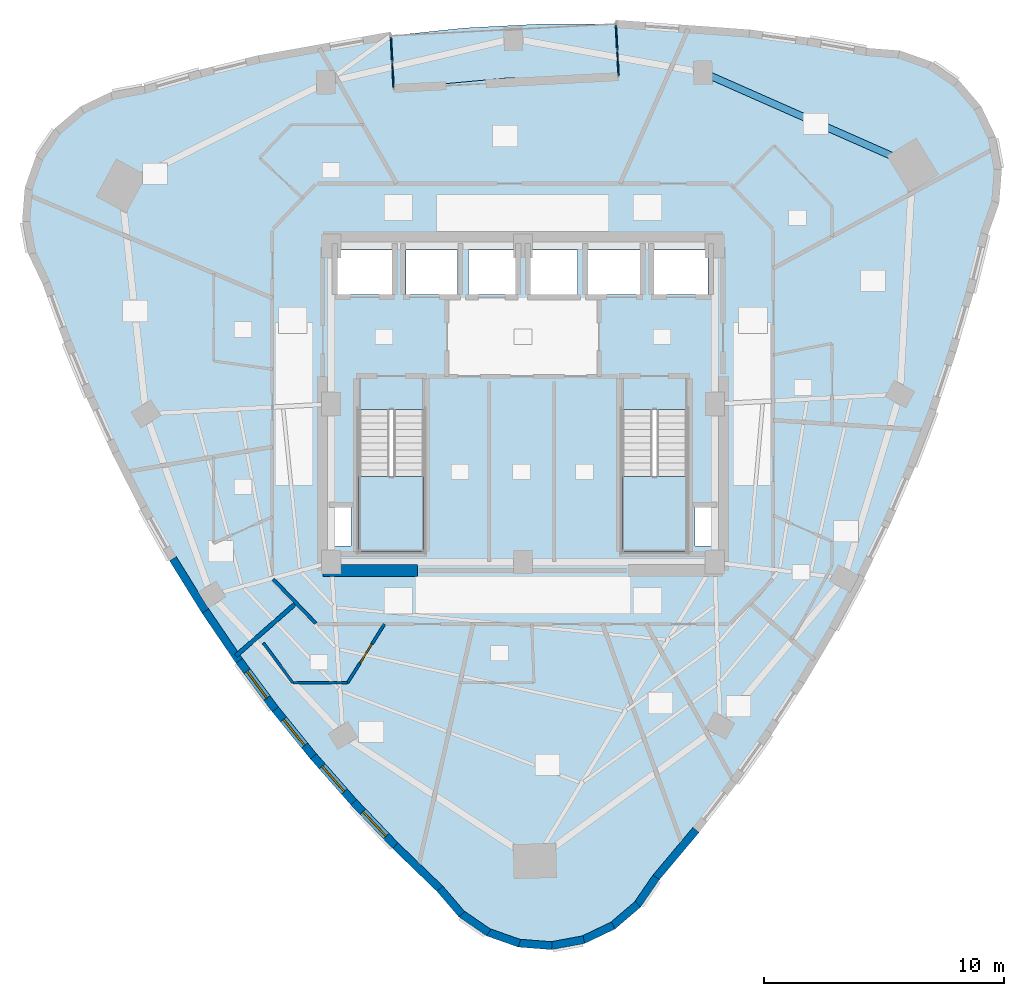
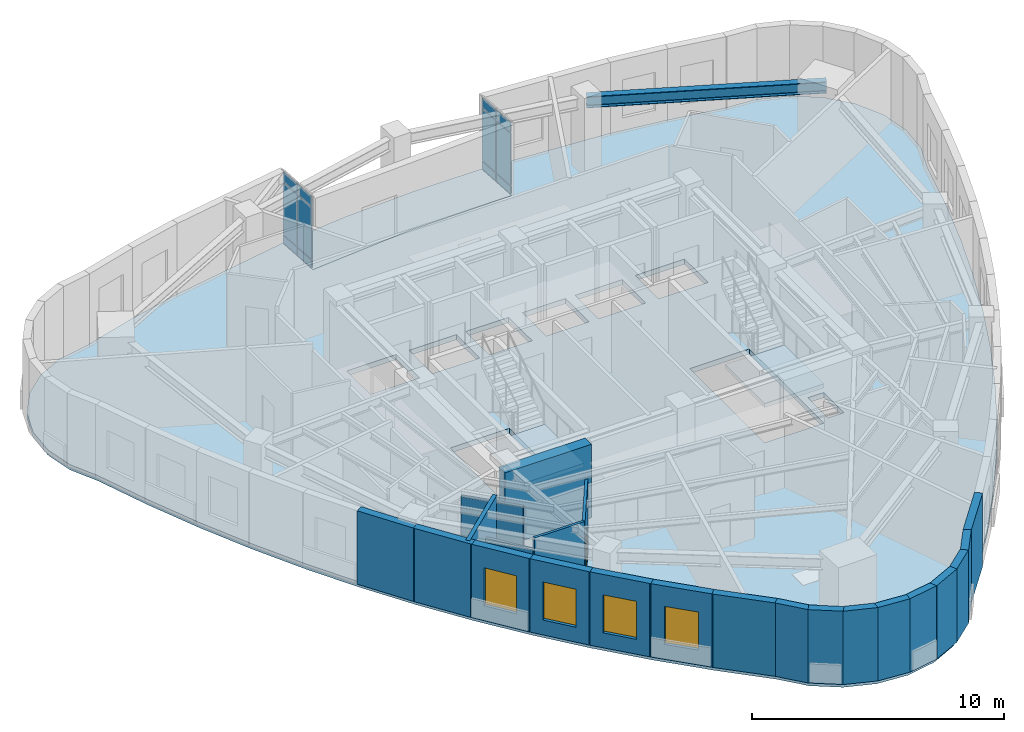
# One storey, part 4 of 11: 22 walls, 12 plates, 4 slabs, 4 windows, 1 beam, 1 door, 5 openings, 4 elements without a shape of their own.
"""IFC4 building model written with IfcOpenShell, lengths in metres."""

from ifc_helpers import new_model, si_unit, direction, frame, frame_2d, origin, origin_2d, place, context, subcontext, project, spatial, polyline, rectangle, i_section, outline, extrude, material, layer, layer_set, material_profile, profile_set, type_object, element, fill, aggregate, save


model = new_model("IFC4")

# Units and contexts
model_context = context("Model", 3, precision=1e-05, world=origin(), true_north=direction((0.0, 1.0)))
body_context = subcontext(model_context, "Body", "Model", "MODEL_VIEW")
ifc_project = project(units=[si_unit("LENGTHUNIT", "METRE"), si_unit("AREAUNIT", "SQUARE_METRE"), si_unit("VOLUMEUNIT", "CUBIC_METRE"), si_unit("PLANEANGLEUNIT", "RADIAN"), si_unit("MASSUNIT", "GRAM", prefix="KILO")], contexts=[model_context])

# Site, building, storey
site_placement = place(None, origin())
site = spatial("IfcSite", under=ifc_project, at=site_placement, CompositionType="ELEMENT")
building_placement = place(site_placement, origin())
building = spatial("IfcBuilding", under=site, at=building_placement, Name="Ndelora Gate Hotel", CompositionType="ELEMENT")
storey_placement = place(building_placement, frame((0.0, 0.0, 224.550048828125)))
storey = spatial("IfcBuildingStorey", under=building, at=storey_placement, Name="L56", CompositionType="ELEMENT", Elevation=224.550048828125)

# Beam
ifc_material_1 = material(Name="Steel S355", Category="steel")
ifc_material_profile = material_profile(ifc_material_1, i_section(OverallWidth=0.300048828125, OverallDepth=0.550048828125, WebThickness=0.014892578125, FlangeThickness=0.029052734375, FilletRadius=0.027099609375, at=origin_2d()), Name="HEB 550")
ifc_profile_set = profile_set([ifc_material_profile], Name="Steel S355")
beam_type = type_object("IfcBeamType", Name="BM-RING-550", PredefinedType="SPANDREL", material=ifc_profile_set)
beam_placement = place(storey_placement, frame((16.26025390625, 9.96435546875, 3.27490234375), z_axis=(-0.914807449647, 0.403890245078, 0.0), x_axis=(-0.403890245078, -0.914807449647, 0.0)))
element("IfcBeam", 1, at=beam_placement, inside=storey, type_object=beam_type, Name="L56 Perimeter Spandrel Girder 9", PredefinedType="SPANDREL", context=body_context, shape_type="SweptSolid", body=[
    extrude(i_section(OverallWidth=0.300048828125, OverallDepth=0.550048828125, WebThickness=0.014892578125, FlangeThickness=0.029052734375, FilletRadius=0.027099609375, at=origin_2d()), origin(), (0.0, 0.0, 1.0), 9.56689453125),
])

# Curtain wall, plates
ifc_material_2 = material(Name="Bronze Anodised Unitised Aluminium and Low-E Glass", Category="aluminium")
ifc_layer_1 = layer(ifc_material_2, 0.199951171875)
ifc_layer_set_1 = layer_set([ifc_layer_1], Name="Bronze Anodised Unitised Aluminium and Low-E Glass")
curtain_wall_type = type_object("IfcCurtainWallType", Name="CW-SYS-3", PredefinedType="NOTDEFINED", material=ifc_layer_set_1)
curtain_wall_1_placement = place(storey_placement, origin())
curtain_wall_1 = element("IfcCurtainWall", 2, at=curtain_wall_1_placement, inside=storey, type_object=curtain_wall_type, Name="L56 Sky-Garden Loggia Side Curtain Wall CW3-1", PredefinedType="NOTDEFINED")
ifc_material_3 = material(Name="Solar-Control Low-E Insulated Glazing", Category="glass")
ifc_layer_2 = layer(ifc_material_3, 0.048095703125)
ifc_layer_set_2 = layer_set([ifc_layer_2], Name="Solar-Control Low-E Insulated Glazing")
plate_type = type_object("IfcPlateType", Name="PL-CW-GLZ36", PredefinedType="CURTAIN_PANEL", material=ifc_layer_set_2)
plate_1_placement = place(storey_placement, frame((3.961181640625, 14.222900390625, 0.05908203125), z_axis=(0.0, 0.0, 1.0), x_axis=(-0.052317873695, 0.998630482257, 0.0)))
plate_1 = element("IfcPlate", 3, at=plate_1_placement, type_object=plate_type, Name="CW3 panel 1.1", PredefinedType="CURTAIN_PANEL", context=body_context, shape_type="SweptSolid", body=[
    extrude(rectangle(XDim=1.014404296875, YDim=0.048095703125, at=origin_2d()), origin(), (0.0, 0.0, 1.0), 0.364501953125),
])
plate_2_placement = place(storey_placement, frame((3.961181640625, 14.222900390625, 0.476318359375), z_axis=(0.0, 0.0, 1.0), x_axis=(-0.052317873695, 0.998630482257, 0.0)))
plate_2 = element("IfcPlate", 4, at=plate_2_placement, type_object=plate_type, Name="CW3 panel 1.2", PredefinedType="CURTAIN_PANEL", context=body_context, shape_type="SweptSolid", body=[
    extrude(rectangle(XDim=1.014404296875, YDim=0.048095703125, at=origin_2d()), origin(), (0.0, 0.0, 1.0), 2.4970703125),
])
plate_3_placement = place(storey_placement, frame((3.961181640625, 14.222900390625, 3.0263671875), z_axis=(0.0, 0.0, 1.0), x_axis=(-0.052317873695, 0.998630482257, 0.0)))
plate_3 = element("IfcPlate", 5, at=plate_3_placement, type_object=plate_type, Name="CW3 panel 1.3", PredefinedType="CURTAIN_PANEL", context=body_context, shape_type="SweptSolid", body=[
    extrude(rectangle(XDim=1.014404296875, YDim=0.048095703125, at=origin_2d()), origin(), (0.0, 0.0, 1.0), 0.464599609375),
])
plate_4_placement = place(storey_placement, frame((3.9052734375, 15.2890625, 0.05908203125), z_axis=(0.0, 0.0, 1.0), x_axis=(-0.052317873695, 0.998630482257, 0.0)))
plate_4 = element("IfcPlate", 6, at=plate_4_placement, type_object=plate_type, Name="CW3 panel 2.1", PredefinedType="CURTAIN_PANEL", context=body_context, shape_type="SweptSolid", body=[
    extrude(rectangle(XDim=1.014404296875, YDim=0.048095703125, at=origin_2d()), origin(), (0.0, 0.0, 1.0), 0.364501953125),
])
plate_5_placement = place(storey_placement, frame((3.9052734375, 15.2890625, 0.476318359375), z_axis=(0.0, 0.0, 1.0), x_axis=(-0.052317873695, 0.998630482257, 0.0)))
plate_5 = element("IfcPlate", 7, at=plate_5_placement, type_object=plate_type, Name="CW3 panel 2.2", PredefinedType="CURTAIN_PANEL", context=body_context, shape_type="SweptSolid", body=[
    extrude(rectangle(XDim=1.014404296875, YDim=0.048095703125, at=origin_2d()), origin(), (0.0, 0.0, 1.0), 2.4970703125),
])
plate_6_placement = place(storey_placement, frame((3.9052734375, 15.2890625, 3.0263671875), z_axis=(0.0, 0.0, 1.0), x_axis=(-0.052317873695, 0.998630482257, 0.0)))
plate_6 = element("IfcPlate", 8, at=plate_6_placement, type_object=plate_type, Name="CW3 panel 2.3", PredefinedType="CURTAIN_PANEL", context=body_context, shape_type="SweptSolid", body=[
    extrude(rectangle(XDim=1.014404296875, YDim=0.048095703125, at=origin_2d()), origin(), (0.0, 0.0, 1.0), 0.464599609375),
])
aggregate(curtain_wall_1, [plate_1, plate_2, plate_3, plate_4, plate_5, plate_6])

curtain_wall_2_placement = place(storey_placement, origin())
curtain_wall_2 = element("IfcCurtainWall", 9, at=curtain_wall_2_placement, inside=storey, type_object=curtain_wall_type, Name="L56 Sky-Garden Loggia Side Curtain Wall CW3-2", PredefinedType="NOTDEFINED")
plate_7_placement = place(storey_placement, frame((-5.48193359375, 14.797119140625, 0.05908203125), z_axis=(0.0, 0.0, 1.0), x_axis=(0.052363203389, -0.998628106419, 0.0)))
plate_7 = element("IfcPlate", 10, at=plate_7_placement, type_object=plate_type, Name="CW3 panel 1.1", PredefinedType="CURTAIN_PANEL", context=body_context, shape_type="SweptSolid", body=[
    extrude(rectangle(XDim=1.014404296875, YDim=0.048095703125, at=origin_2d()), origin(), (0.0, 0.0, 1.0), 0.364501953125),
])
plate_8_placement = place(storey_placement, frame((-5.48193359375, 14.797119140625, 0.476318359375), z_axis=(0.0, 0.0, 1.0), x_axis=(0.052363203389, -0.998628106419, 0.0)))
plate_8 = element("IfcPlate", 11, at=plate_8_placement, type_object=plate_type, Name="CW3 panel 1.2", PredefinedType="CURTAIN_PANEL", context=body_context, shape_type="SweptSolid", body=[
    extrude(rectangle(XDim=1.014404296875, YDim=0.048095703125, at=origin_2d()), origin(), (0.0, 0.0, 1.0), 2.4970703125),
])
plate_9_placement = place(storey_placement, frame((-5.48193359375, 14.797119140625, 3.0263671875), z_axis=(0.0, 0.0, 1.0), x_axis=(0.052363203389, -0.998628106419, 0.0)))
plate_9 = element("IfcPlate", 12, at=plate_9_placement, type_object=plate_type, Name="CW3 panel 1.3", PredefinedType="CURTAIN_PANEL", context=body_context, shape_type="SweptSolid", body=[
    extrude(rectangle(XDim=1.014404296875, YDim=0.048095703125, at=origin_2d()), origin(), (0.0, 0.0, 1.0), 0.464599609375),
])
plate_10_placement = place(storey_placement, frame((-5.426025390625, 13.73095703125, 0.05908203125), z_axis=(0.0, 0.0, 1.0), x_axis=(0.052363203389, -0.998628106419, 0.0)))
plate_10 = element("IfcPlate", 13, at=plate_10_placement, type_object=plate_type, Name="CW3 panel 2.1", PredefinedType="CURTAIN_PANEL", context=body_context, shape_type="SweptSolid", body=[
    extrude(rectangle(XDim=1.014404296875, YDim=0.048095703125, at=origin_2d()), origin(), (0.0, 0.0, 1.0), 0.364501953125),
])
plate_11_placement = place(storey_placement, frame((-5.426025390625, 13.73095703125, 0.476318359375), z_axis=(0.0, 0.0, 1.0), x_axis=(0.052363203389, -0.998628106419, 0.0)))
plate_11 = element("IfcPlate", 14, at=plate_11_placement, type_object=plate_type, Name="CW3 panel 2.2", PredefinedType="CURTAIN_PANEL", context=body_context, shape_type="SweptSolid", body=[
    extrude(rectangle(XDim=1.014404296875, YDim=0.048095703125, at=origin_2d()), origin(), (0.0, 0.0, 1.0), 2.4970703125),
])
plate_12_placement = place(storey_placement, frame((-5.426025390625, 13.73095703125, 3.0263671875), z_axis=(0.0, 0.0, 1.0), x_axis=(0.052363203389, -0.998628106419, 0.0)))
plate_12 = element("IfcPlate", 15, at=plate_12_placement, type_object=plate_type, Name="CW3 panel 2.3", PredefinedType="CURTAIN_PANEL", context=body_context, shape_type="SweptSolid", body=[
    extrude(rectangle(XDim=1.014404296875, YDim=0.048095703125, at=origin_2d()), origin(), (0.0, 0.0, 1.0), 0.464599609375),
])
aggregate(curtain_wall_2, [plate_7, plate_8, plate_9, plate_10, plate_11, plate_12])

# Stair, slab
ifc_material_4 = material(Name="Precast concrete C40/50", Category="concrete")
stair_type = type_object("IfcStairType", Name="STR-DOG-CORE", PredefinedType="HALF_TURN_STAIR", material=ifc_material_4)
stair_1_placement = place(storey_placement, origin())
stair_1 = element("IfcStair", 16, at=stair_1_placement, inside=storey, type_object=stair_type, Name="L56 Protected Core Exit Stair ST4", PredefinedType="HALF_TURN_STAIR")
ifc_layer_3 = layer(ifc_material_4, 0.219970703125)
ifc_layer_set_3 = layer_set([ifc_layer_3], Name="Precast concrete C40/50")
slab_type_1 = type_object("IfcSlabType", Name="SL-LAND-220", PredefinedType="LANDING", material=ifc_layer_set_3)
slab_1_placement = place(storey_placement, frame((0.0, 0.0, 1.699951171875)))
slab_1 = element("IfcSlab", 17, at=slab_1_placement, type_object=slab_type_1, Name="ST4 landing 1", PredefinedType="LANDING", context=body_context, shape_type="SweptSolid", body=[
    extrude(outline(polyline([(-6.85009765625, -3.030029296875), (-6.85009765625, -6.14990234375), (-4.1298828125, -6.14990234375), (-4.1298828125, -3.030029296875), (-6.85009765625, -3.030029296875)])), origin(), (0.0, 0.0, 1.0), 0.199951171875),
])
aggregate(stair_1, [slab_1])

stair_2_placement = place(storey_placement, origin())
stair_2 = element("IfcStair", 18, at=stair_2_placement, inside=storey, type_object=stair_type, Name="L56 Protected Core Exit Stair ST5", PredefinedType="HALF_TURN_STAIR")
slab_2_placement = place(storey_placement, frame((0.0, 0.0, 1.699951171875)))
slab_2 = element("IfcSlab", 19, at=slab_2_placement, type_object=slab_type_1, Name="ST5 landing 1", PredefinedType="LANDING", context=body_context, shape_type="SweptSolid", body=[
    extrude(outline(polyline([(4.1298828125, -3.030029296875), (4.1298828125, -6.14990234375), (6.85009765625, -6.14990234375), (6.85009765625, -3.030029296875), (4.1298828125, -3.030029296875)])), origin(), (0.0, 0.0, 1.0), 0.199951171875),
])
aggregate(stair_2, [slab_2])

# Slabs
ifc_layer_4 = layer(ifc_material_4, 0.239990234375)
ifc_layer_set_4 = layer_set([ifc_layer_4], Name="Precast concrete C40/50")
slab_type_2 = type_object("IfcSlabType", Name="SL-TER-240", PredefinedType="FLOOR", material=ifc_layer_set_4)
slab_3_placement = place(storey_placement, frame((0.0, 0.0, -0.239990234375)))
element("IfcSlab", 20, at=slab_3_placement, inside=storey, type_object=slab_type_2, Name="L56 Sky Garden Loggia Terrace Slab", PredefinedType="FLOOR", context=body_context, shape_type="SweptSolid", body=[
    extrude(outline(polyline([(3.99072265625, 13.657470703125), (3.87548828125, 15.8544921875), (0.769287109375, 15.854736328125), (-2.42236328125, 15.6875), (-5.51171875, 15.362548828125), (-5.396484375, 13.16552734375), (-0.71240234375, 13.595458984375), (3.99072265625, 13.657470703125)])), origin(), (0.0, 0.0, 1.0), 0.239990234375),
])
ifc_material_5 = material(Name="Concrete C40/50", Category="concrete")
ifc_layer_5 = layer(ifc_material_5, 0.25)
ifc_layer_set_5 = layer_set([ifc_layer_5], Name="Concrete C40/50")
slab_type_3 = type_object("IfcSlabType", Name="SL-TWR-250", PredefinedType="FLOOR", material=ifc_layer_set_5)
slab_4_placement = place(storey_placement, frame((0.0, 0.0, -0.25)))
element("IfcSlab", 21, at=slab_4_placement, inside=storey, type_object=slab_type_3, Name="L56 Structural Floor Slab", PredefinedType="FLOOR", context=body_context, shape_type="SweptSolid", body=[
    extrude(outline(polyline([(-15.80078125, 13.10498046875), (-17.135498046875, 12.85791015625), (-18.36083984375, 12.2734375), (-19.39306640625, 11.391845703125), (-20.161865234375, 10.27294921875), (-20.614990234375, 8.993408203125), (-20.7216796875, 7.64013671875), (-20.47412109375, 6.305419921875), (-19.889892578125, 5.080078125), (-19.006591796875, 2.654296875), (-18.034912109375, 0.285888671875), (-16.974609375, -2.025146484375), (-15.825927734375, -4.278564453125), (-14.588623046875, -6.474609375), (-13.262939453125, -8.613037109375), (-11.848388671875, -10.694091796875), (-10.345703125, -12.717529296875), (-8.75439453125, -14.68359375), (-7.074462890625, -16.592041015625), (-5.305908203125, -18.443115234375), (-3.448974609375, -20.236572265625), (-2.5673828125, -21.268798828125), (-1.448486328125, -22.03759765625), (-0.1689453125, -22.49072265625), (1.184326171875, -22.597412109375), (2.51904296875, -22.349853515625), (3.744140625, -21.765380859375), (4.776611328125, -20.8837890625), (5.54541015625, -19.76513671875), (7.20458984375, -17.787353515625), (8.77001953125, -15.76171875), (10.2412109375, -13.68798828125), (11.618408203125, -11.56640625), (12.9013671875, -9.39697265625), (14.090576171875, -7.179443359375), (15.185546875, -4.9140625), (16.1865234375, -2.600830078125), (17.093505859375, -0.23974609375), (17.90625, 2.16943359375), (18.625, 4.62646484375), (19.249755859375, 7.13134765625), (19.702880859375, 8.410888671875), (19.8095703125, 9.764404296875), (19.56201171875, 11.09912109375), (18.977783203125, 12.32421875), (18.09619140625, 13.3564453125), (16.977294921875, 14.12548828125), (15.69775390625, 14.57861328125), (14.344482421875, 14.68505859375), (11.903564453125, 15.1171875), (9.4677734375, 15.452392578125), (3.87548828125, 15.8544921875), (3.99072265625, 13.657470703125), (-0.71240234375, 13.595458984375), (-5.396484375, 13.16552734375), (-5.51171875, 15.362548828125), (-11.031005859375, 14.3779296875), (-13.41845703125, 13.7900390625), (-15.80078125, 13.10498046875)]), holes=[polyline([(-6.85009765625, -0.22998046875), (-6.85009765625, -6.14990234375), (-4.1298828125, -6.14990234375), (-4.1298828125, -0.22998046875), (-6.85009765625, -0.22998046875)]), polyline([(4.1298828125, -0.22998046875), (4.1298828125, -6.14990234375), (6.85009765625, -6.14990234375), (6.85009765625, -0.22998046875), (4.1298828125, -0.22998046875)]), polyline([(-7.72998046875, 4.570068359375), (-5.469970703125, 4.570068359375), (-5.469970703125, 6.429931640625), (-7.72998046875, 6.429931640625), (-7.72998046875, 4.570068359375)]), polyline([(5.469970703125, 4.570068359375), (7.72998046875, 4.570068359375), (7.72998046875, 6.429931640625), (5.469970703125, 6.429931640625), (5.469970703125, 4.570068359375)]), polyline([(-4.8798828125, 4.570068359375), (-2.719970703125, 4.570068359375), (-2.719970703125, 6.429931640625), (-4.8798828125, 6.429931640625), (-4.8798828125, 4.570068359375)]), polyline([(2.719970703125, 4.570068359375), (4.8798828125, 4.570068359375), (4.8798828125, 6.429931640625), (2.719970703125, 6.429931640625), (2.719970703125, 4.570068359375)]), polyline([(-2.280029296875, 4.570068359375), (-0.320068359375, 4.570068359375), (-0.320068359375, 6.429931640625), (-2.280029296875, 6.429931640625), (-2.280029296875, 4.570068359375)]), polyline([(0.320068359375, 4.570068359375), (2.280029296875, 4.570068359375), (2.280029296875, 6.429931640625), (0.320068359375, 6.429931640625), (0.320068359375, 4.570068359375)]), polyline([(-7.89990234375, -5.919921875), (-7.179931640625, -5.919921875), (-7.179931640625, -4.320068359375), (-7.89990234375, -4.320068359375), (-7.89990234375, -5.919921875)]), polyline([(7.179931640625, -5.919921875), (7.89990234375, -5.919921875), (7.89990234375, -4.320068359375), (7.179931640625, -4.320068359375), (7.179931640625, -5.919921875)])]), origin(), (0.0, 0.0, 1.0), 0.25),
])

# Walls
ifc_material_6 = material(Name="Acoustic Double-Stud Gypsum Assembly", Category="gypsum")
ifc_layer_6 = layer(ifc_material_6, 0.179931640625)
ifc_layer_set_6 = layer_set([ifc_layer_6], Name="Acoustic Double-Stud Gypsum Assembly")
wall_type_1 = type_object("IfcWallType", Name="WL-ACOUST-180", PredefinedType="PARTITIONING", material=ifc_layer_set_6)
wall_1_placement = place(storey_placement, frame((-9.464111328125, -8.3037109375, 0.0), z_axis=(0.0, 0.0, 1.0), x_axis=(-0.751711445712, -0.659492154909, 0.0)))
element("IfcWall", 22, at=wall_1_placement, inside=storey, type_object=wall_type_1, Name="L56 Interior Wall IW-3", PredefinedType="PARTITIONING", context=body_context, shape_type="SweptSolid", body=[
    extrude(rectangle(XDim=3.341064453125, YDim=0.179931640625, at=frame_2d((1.67041015625, 0.0))), origin(), (0.0, 0.0, 1.0), 3.550048828125),
])
ifc_material_7 = material(Name="Clay Brick Masonry", Category="masonry")
ifc_layer_7 = layer(ifc_material_7, 0.330078125)
ifc_layer_set_7 = layer_set([ifc_layer_7], Name="Clay Brick Masonry")
wall_type_2 = type_object("IfcWallType", Name="WL-BRICK-330", PredefinedType="SOLIDWALL", material=ifc_layer_set_7)
wall_2_placement = place(storey_placement, frame((-13.249755859375, -8.63427734375, 0.0), z_axis=(0.0, 0.0, 1.0), x_axis=(-0.526908054593, 0.849922291745, 0.0)))
element("IfcWall", 23, at=wall_2_placement, inside=storey, type_object=wall_type_2, Name="L56 Tower Brick Pier-and-Spandrel Wall TWR-14", PredefinedType="SOLIDWALL", context=body_context, shape_type="SweptSolid", body=[
    extrude(rectangle(XDim=2.56591796875, YDim=0.330078125, at=frame_2d((1.282958984375, 0.0))), origin(), (0.0, 0.0, 1.0), 3.550048828125),
])
wall_3_placement = place(storey_placement, frame((-11.83447265625, -10.714599609375, 0.0), z_axis=(0.0, 0.0, 1.0), x_axis=(-0.562164288669, 0.827025581554, 0.0)))
element("IfcWall", 24, at=wall_3_placement, inside=storey, type_object=wall_type_2, Name="L56 Tower Brick Pier-and-Spandrel Wall TWR-15", PredefinedType="SOLIDWALL", context=body_context, shape_type="SweptSolid", body=[
    extrude(rectangle(XDim=2.566162109375, YDim=0.330078125, at=frame_2d((1.283203125, 0.0))), origin(), (0.0, 0.0, 1.0), 3.550048828125),
])

# Wall, opening, window
wall_4_placement = place(storey_placement, frame((-10.330810546875, -12.737548828125, 0.0), z_axis=(0.0, 0.0, 1.0), x_axis=(-0.596178851143, 0.802851653451, 0.0)))
wall_4 = element("IfcWall", 25, at=wall_4_placement, inside=storey, type_object=wall_type_2, Name="L56 Tower Brick Pier-and-Spandrel Wall TWR-16", PredefinedType="SOLIDWALL", context=body_context, shape_type="SweptSolid", body=[
    extrude(rectangle(XDim=2.570556640625, YDim=0.330078125, at=frame_2d((1.28515625, 0.0))), origin(), (0.0, 0.0, 1.0), 3.550048828125),
])
opening_1_placement = place(wall_4_placement, frame((0.585205078125, 0.0, 0.719970703125)))
opening_1 = element("IfcOpeningElement", 26, at=opening_1_placement, cuts=wall_4, Name="Opening W02", PredefinedType="OPENING", context=body_context, shape_type="SweptSolid", body=[
    extrude(rectangle(XDim=1.39990234375, YDim=1.840087890625, at=frame_2d((0.699951171875, 0.919921875))), frame((0.0, 0.175048828125, 0.0), z_axis=(0.0, -1.0, 0.0), x_axis=(1.0, 0.0, 0.0)), (0.0, 0.0, 1.0), 0.35009765625),
])
ifc_material_8 = material(Name="Insulated Low-E Double Glazing in Bronze Aluminium Frame", Category="aluminium")
window_type = type_object("IfcWindowType", Name="WN-DEEP-1400", PartitioningType="SINGLE_PANEL", PredefinedType="WINDOW", material=ifc_material_8)
window_1_placement = place(opening_1_placement, origin())
window_1 = element("IfcWindow", 27, at=window_1_placement, inside=storey, type_object=window_type, Name="L56 Deep-Set Brick-Pier Window W02", OverallHeight=1.840087890625, OverallWidth=1.39990234375, PartitioningType="SINGLE_PANEL", PredefinedType="WINDOW", context=body_context, shape_type="SweptSolid", body=[
    extrude(rectangle(XDim=1.39990234375, YDim=1.840087890625, at=frame_2d((0.699951171875, 0.919921875))), frame((0.0, 0.030029296875, 0.0), z_axis=(0.0, -1.0, 0.0), x_axis=(1.0, 0.0, 0.0)), (0.0, 0.0, 1.0), 0.06005859375),
])
fill(opening_1, window_1)

wall_5_placement = place(storey_placement, frame((-8.738525390625, -14.702880859375, 0.0), z_axis=(0.0, 0.0, 1.0), x_axis=(-0.629151938827, 0.777282341154, 0.0)))
wall_5 = element("IfcWall", 28, at=wall_5_placement, inside=storey, type_object=wall_type_2, Name="L56 Tower Brick Pier-and-Spandrel Wall TWR-17", PredefinedType="SOLIDWALL", context=body_context, shape_type="SweptSolid", body=[
    extrude(rectangle(XDim=2.579345703125, YDim=0.330078125, at=frame_2d((1.28955078125, 0.0))), origin(), (0.0, 0.0, 1.0), 3.550048828125),
])
opening_2_placement = place(wall_5_placement, frame((0.589599609375, 0.0, 0.719970703125)))
opening_2 = element("IfcOpeningElement", 29, at=opening_2_placement, cuts=wall_5, Name="Opening W02", PredefinedType="OPENING", context=body_context, shape_type="SweptSolid", body=[
    extrude(rectangle(XDim=1.39990234375, YDim=1.840087890625, at=frame_2d((0.699951171875, 0.919921875))), frame((0.0, 0.175048828125, 0.0), z_axis=(0.0, -1.0, 0.0), x_axis=(1.0, 0.0, 0.0)), (0.0, 0.0, 1.0), 0.35009765625),
])
window_2_placement = place(opening_2_placement, origin())
window_2 = element("IfcWindow", 30, at=window_2_placement, inside=storey, type_object=window_type, Name="L56 Deep-Set Brick-Pier Window W02", OverallHeight=1.840087890625, OverallWidth=1.39990234375, PartitioningType="SINGLE_PANEL", PredefinedType="WINDOW", context=body_context, shape_type="SweptSolid", body=[
    extrude(rectangle(XDim=1.39990234375, YDim=1.840087890625, at=frame_2d((0.699951171875, 0.919921875))), frame((0.0, 0.030029296875, 0.0), z_axis=(0.0, -1.0, 0.0), x_axis=(1.0, 0.0, 0.0)), (0.0, 0.0, 1.0), 0.06005859375),
])
fill(opening_2, window_2)

wall_6_placement = place(storey_placement, frame((-7.057861328125, -16.61083984375, 0.0), z_axis=(0.0, 0.0, 1.0), x_axis=(-0.660708561144, 0.75064252293, 0.0)))
wall_6 = element("IfcWall", 31, at=wall_6_placement, inside=storey, type_object=wall_type_2, Name="L56 Tower Brick Pier-and-Spandrel Wall TWR-18", PredefinedType="SOLIDWALL", context=body_context, shape_type="SweptSolid", body=[
    extrude(rectangle(XDim=2.592529296875, YDim=0.330078125, at=frame_2d((1.29638671875, 0.0))), origin(), (0.0, 0.0, 1.0), 3.550048828125),
])
opening_3_placement = place(wall_6_placement, frame((0.59619140625, 0.0, 0.719970703125)))
opening_3 = element("IfcOpeningElement", 32, at=opening_3_placement, cuts=wall_6, Name="Opening W02", PredefinedType="OPENING", context=body_context, shape_type="SweptSolid", body=[
    extrude(rectangle(XDim=1.39990234375, YDim=1.840087890625, at=frame_2d((0.699951171875, 0.919921875))), frame((0.0, 0.175048828125, 0.0), z_axis=(0.0, -1.0, 0.0), x_axis=(1.0, 0.0, 0.0)), (0.0, 0.0, 1.0), 0.35009765625),
])
window_3_placement = place(opening_3_placement, origin())
window_3 = element("IfcWindow", 33, at=window_3_placement, inside=storey, type_object=window_type, Name="L56 Deep-Set Brick-Pier Window W02", OverallHeight=1.840087890625, OverallWidth=1.39990234375, PartitioningType="SINGLE_PANEL", PredefinedType="WINDOW", context=body_context, shape_type="SweptSolid", body=[
    extrude(rectangle(XDim=1.39990234375, YDim=1.840087890625, at=frame_2d((0.699951171875, 0.919921875))), frame((0.0, 0.030029296875, 0.0), z_axis=(0.0, -1.0, 0.0), x_axis=(1.0, 0.0, 0.0)), (0.0, 0.0, 1.0), 0.06005859375),
])
fill(opening_3, window_3)

wall_7_placement = place(storey_placement, frame((-5.28857421875, -18.461181640625, 0.0), z_axis=(0.0, 0.0, 1.0), x_axis=(-0.690836041792, 0.723011454516, 0.0)))
wall_7 = element("IfcWall", 34, at=wall_7_placement, inside=storey, type_object=wall_type_2, Name="L56 Tower Brick Pier-and-Spandrel Wall TWR-19", PredefinedType="SOLIDWALL", context=body_context, shape_type="SweptSolid", body=[
    extrude(rectangle(XDim=2.610107421875, YDim=0.330078125, at=frame_2d((1.30517578125, 0.0))), origin(), (0.0, 0.0, 1.0), 3.550048828125),
])
opening_4_placement = place(wall_7_placement, frame((0.60498046875, 0.0, 0.719970703125)))
opening_4 = element("IfcOpeningElement", 35, at=opening_4_placement, cuts=wall_7, Name="Opening W02", PredefinedType="OPENING", context=body_context, shape_type="SweptSolid", body=[
    extrude(rectangle(XDim=1.39990234375, YDim=1.840087890625, at=frame_2d((0.699951171875, 0.919921875))), frame((0.0, 0.175048828125, 0.0), z_axis=(0.0, -1.0, 0.0), x_axis=(1.0, 0.0, 0.0)), (0.0, 0.0, 1.0), 0.35009765625),
])
window_4_placement = place(opening_4_placement, origin())
window_4 = element("IfcWindow", 36, at=window_4_placement, inside=storey, type_object=window_type, Name="L56 Deep-Set Brick-Pier Window W02", OverallHeight=1.840087890625, OverallWidth=1.39990234375, PartitioningType="SINGLE_PANEL", PredefinedType="WINDOW", context=body_context, shape_type="SweptSolid", body=[
    extrude(rectangle(XDim=1.39990234375, YDim=1.840087890625, at=frame_2d((0.699951171875, 0.919921875))), frame((0.0, 0.030029296875, 0.0), z_axis=(0.0, -1.0, 0.0), x_axis=(1.0, 0.0, 0.0)), (0.0, 0.0, 1.0), 0.06005859375),
])
fill(opening_4, window_4)

# Walls
wall_8_placement = place(storey_placement, frame((-3.430908203125, -20.25390625, 0.0), z_axis=(0.0, 0.0, 1.0), x_axis=(-0.719291162425, 0.694708732964, 0.0)))
element("IfcWall", 37, at=wall_8_placement, inside=storey, type_object=wall_type_2, Name="L56 Tower Brick Pier-and-Spandrel Wall TWR-20", PredefinedType="SOLIDWALL", context=body_context, shape_type="SweptSolid", body=[
    extrude(rectangle(XDim=2.6318359375, YDim=0.330078125, at=frame_2d((1.31591796875, 0.0))), origin(), (0.0, 0.0, 1.0), 3.550048828125),
])
for number, where, z_axis, x_axis, name in (
    (38, (-2.55126953125, -21.287841796875, 0.0), (0.0, 0.0, 1.0), (-0.649318671118, 0.760516445146, 0.0), "L56 Tower Brick Pier-and-Spandrel Wall TWR-21"),
    (39, (-1.427978515625, -22.0517578125, 0.0), (0.0, 0.0, 1.0), (-0.824148199331, 0.566374209812, 0.0), "L56 Tower Brick Pier-and-Spandrel Wall TWR-22"),
    (40, (-0.1455078125, -22.4990234375, 0.0), (0.0, 0.0, 1.0), (-0.942656791627, 0.33376364871, 0.0), "L56 Tower Brick Pier-and-Spandrel Wall TWR-23"),
    (41, (1.209228515625, -22.599365234375, 0.0), (0.0, 0.0, 1.0), (-0.996907811278, 0.07857999626, 0.0), "L56 Tower Brick Pier-and-Spandrel Wall TWR-24"),
):
    element("IfcWall", number, at=place(storey_placement, frame(where, z_axis=z_axis, x_axis=x_axis)), inside=storey, type_object=wall_type_2, Name=name, PredefinedType="SOLIDWALL", context=body_context, shape_type="SweptSolid", body=[
        extrude(rectangle(XDim=1.407470703125, YDim=0.330078125, at=frame_2d((0.70361328125, 0.0))), origin(), (0.0, 0.0, 1.0), 3.550048828125),
    ])
for number, where, z_axis, x_axis, name in (
    (42, (2.543701171875, -22.34521484375, 0.0), (0.0, 0.0, 1.0), (-0.983245180137, -0.182288002174, 0.0), "L56 Tower Brick Pier-and-Spandrel Wall TWR-25"),
    (43, (3.766845703125, -21.754638671875, 0.0), (0.0, 0.0, 1.0), (-0.902597460438, -0.43048556818, 0.0), "L56 Tower Brick Pier-and-Spandrel Wall TWR-26"),
):
    element("IfcWall", number, at=place(storey_placement, frame(where, z_axis=z_axis, x_axis=x_axis)), inside=storey, type_object=wall_type_2, Name=name, PredefinedType="SOLIDWALL", context=body_context, shape_type="SweptSolid", body=[
        extrude(rectangle(XDim=1.40771484375, YDim=0.330078125, at=frame_2d((0.703857421875, 0.0))), origin(), (0.0, 0.0, 1.0), 3.550048828125),
    ])
wall_9_placement = place(storey_placement, frame((4.79541015625, -20.86767578125, 0.0), z_axis=(0.0, 0.0, 1.0), x_axis=(-0.760430782952, -0.64941898982, 0.0)))
element("IfcWall", 44, at=wall_9_placement, inside=storey, type_object=wall_type_2, Name="L56 Tower Brick Pier-and-Spandrel Wall TWR-27", PredefinedType="SOLIDWALL", context=body_context, shape_type="SweptSolid", body=[
    extrude(rectangle(XDim=1.407470703125, YDim=0.330078125, at=frame_2d((0.70361328125, 0.0))), origin(), (0.0, 0.0, 1.0), 3.550048828125),
])
wall_10_placement = place(storey_placement, frame((5.5595703125, -19.744384765625, 0.0), z_axis=(0.0, 0.0, 1.0), x_axis=(-0.566411052666, -0.824122878834, 0.0)))
element("IfcWall", 45, at=wall_10_placement, inside=storey, type_object=wall_type_2, Name="L56 Tower Brick Pier-and-Spandrel Wall TWR-28", PredefinedType="SOLIDWALL", context=body_context, shape_type="SweptSolid", body=[
    extrude(rectangle(XDim=1.40771484375, YDim=0.330078125, at=frame_2d((0.703857421875, 0.0))), origin(), (0.0, 0.0, 1.0), 3.550048828125),
])
wall_11_placement = place(storey_placement, frame((7.220703125, -17.76806640625, 0.0), z_axis=(0.0, 0.0, 1.0), x_axis=(-0.642717664635, -0.766103128545, 0.0)))
element("IfcWall", 46, at=wall_11_placement, inside=storey, type_object=wall_type_2, Name="L56 Tower Brick Pier-and-Spandrel Wall TWR-29", PredefinedType="SOLIDWALL", context=body_context, shape_type="SweptSolid", body=[
    extrude(rectangle(XDim=2.631591796875, YDim=0.330078125, at=frame_2d((1.31591796875, 0.0))), origin(), (0.0, 0.0, 1.0), 3.550048828125),
])
ifc_material_9 = material(Name="Concrete C50/60", Category="concrete")
ifc_layer_8 = layer(ifc_material_9, 0.5)
ifc_layer_set_8 = layer_set([ifc_layer_8], Name="Concrete C50/60")
wall_type_3 = type_object("IfcWallType", Name="WL-CORE-500", PredefinedType="SHEAR", material=ifc_layer_set_8)
wall_12_placement = place(storey_placement, frame((-8.35009765625, -6.949951171875, 0.0), z_axis=(0.0, 0.0, 1.0), x_axis=(1.0, 0.0, 0.0)))
element("IfcWall", 47, at=wall_12_placement, inside=storey, type_object=wall_type_3, Name="L56 Core Shear Wall S-W", PredefinedType="SHEAR", context=body_context, shape_type="SweptSolid", body=[
    extrude(rectangle(XDim=3.9501953125, YDim=0.5, at=frame_2d((1.97509765625, 0.0))), origin(), (0.0, 0.0, 1.0), 3.550048828125),
])
ifc_material_10 = material(Name="Fire-Rated Gypsum Stud Partition", Category="gypsum")
ifc_layer_9 = layer(ifc_material_10, 0.14990234375)
ifc_layer_set_9 = layer_set([ifc_layer_9], Name="Fire-Rated Gypsum Stud Partition")
wall_type_4 = type_object("IfcWallType", Name="WL-PART-150", PredefinedType="PARTITIONING", material=ifc_layer_set_9)
wall_13_placement = place(storey_placement, frame((-8.647705078125, -9.151123046875, 0.0), z_axis=(0.0, 0.0, 1.0), x_axis=(-0.693764562202, 0.720201869085, 0.0)))
element("IfcWall", 48, at=wall_13_placement, inside=storey, type_object=wall_type_4, Name="L56 Interior Wall IW-5", PredefinedType="PARTITIONING", context=body_context, shape_type="SweptSolid", body=[
    extrude(rectangle(XDim=2.55810546875, YDim=0.14990234375, at=frame_2d((1.279052734375, 0.0))), origin(), (0.0, 0.0, 1.0), 3.22998046875),
])

# Wall, opening, door
ifc_material_11 = material(Name="Moisture-Resistant Bathroom Tile Partition", Category="gypsum")
ifc_layer_10 = layer(ifc_material_11, 0.1201171875)
ifc_layer_set_10 = layer_set([ifc_layer_10], Name="Moisture-Resistant Bathroom Tile Partition")
wall_type_5 = type_object("IfcWallType", Name="WL-WET-120", PredefinedType="PARTITIONING", material=ifc_layer_set_10)
wall_14_placement = place(storey_placement, frame((-5.77490234375, -9.179931640625, 0.0), z_axis=(0.0, 0.0, 1.0), x_axis=(-0.532491083383, -0.846435612506, 0.0)))
wall_14 = element("IfcWall", 49, at=wall_14_placement, inside=storey, type_object=wall_type_5, Name="L56 Interior Wall IW-7", PredefinedType="PARTITIONING", context=body_context, shape_type="SweptSolid", body=[
    extrude(rectangle(XDim=2.89453125, YDim=0.1201171875, at=frame_2d((1.447265625, 0.0))), origin(), (0.0, 0.0, 1.0), 3.550048828125),
])
opening_5_placement = place(wall_14_placement, frame((0.9873046875, 0.0, 0.0)))
opening_5 = element("IfcOpeningElement", 50, at=opening_5_placement, cuts=wall_14, Name="Opening D03", PredefinedType="OPENING", context=body_context, shape_type="SweptSolid", body=[
    extrude(rectangle(XDim=0.919921875, YDim=2.10009765625, at=frame_2d((0.4599609375, 1.050048828125))), frame((0.0, 0.070068359375, 0.0), z_axis=(0.0, -1.0, 0.0), x_axis=(1.0, 0.0, 0.0)), (0.0, 0.0, 1.0), 0.14013671875),
])
ifc_material_12 = material(Name="Moisture-Resistant Hardwood En-Suite Door", Category="wood")
door_type = type_object("IfcDoorType", Name="DR-BATH-920", OperationType="SINGLE_SWING_LEFT", PredefinedType="DOOR", material=ifc_material_12)
door_placement = place(opening_5_placement, origin())
door = element("IfcDoor", 51, at=door_placement, inside=storey, type_object=door_type, Name="L56 En-suite Bathroom 5907 Door", OperationType="SINGLE_SWING_RIGHT", OverallHeight=2.10009765625, OverallWidth=0.919921875, PredefinedType="DOOR", context=body_context, shape_type="SweptSolid", body=[
    extrude(rectangle(XDim=0.919921875, YDim=2.10009765625, at=frame_2d((0.4599609375, 1.050048828125))), frame((0.0, 0.02490234375, 0.0), z_axis=(0.0, -1.0, 0.0), x_axis=(1.0, 0.0, 0.0)), (0.0, 0.0, 1.0), 0.050048828125),
])
fill(opening_5, door)

# Walls
wall_15_placement = place(storey_placement, frame((-7.316162109375, -11.6298828125, 0.0), z_axis=(0.0, 0.0, 1.0), x_axis=(-1.0, 0.0, 0.0)))
element("IfcWall", 52, at=wall_15_placement, inside=storey, type_object=wall_type_5, Name="L56 Interior Wall IW-7", PredefinedType="PARTITIONING", context=body_context, shape_type="SweptSolid", body=[
    extrude(rectangle(XDim=2.280029296875, YDim=0.1201171875, at=frame_2d((1.14013671875, 0.0))), origin(), (0.0, 0.0, 1.0), 3.550048828125),
])
wall_16_placement = place(storey_placement, frame((-10.829345703125, -9.9697265625, 0.0), z_axis=(0.0, 0.0, 1.0), x_axis=(0.596291397786, -0.802768066708, 0.0)))
element("IfcWall", 53, at=wall_16_placement, inside=storey, type_object=wall_type_5, Name="L56 Interior Wall IW-7", PredefinedType="PARTITIONING", context=body_context, shape_type="SweptSolid", body=[
    extrude(rectangle(XDim=2.068115234375, YDim=0.1201171875, at=frame_2d((1.0341796875, 0.0))), origin(), (0.0, 0.0, 1.0), 2.97998046875),
])

save(model, "model.ifc")
